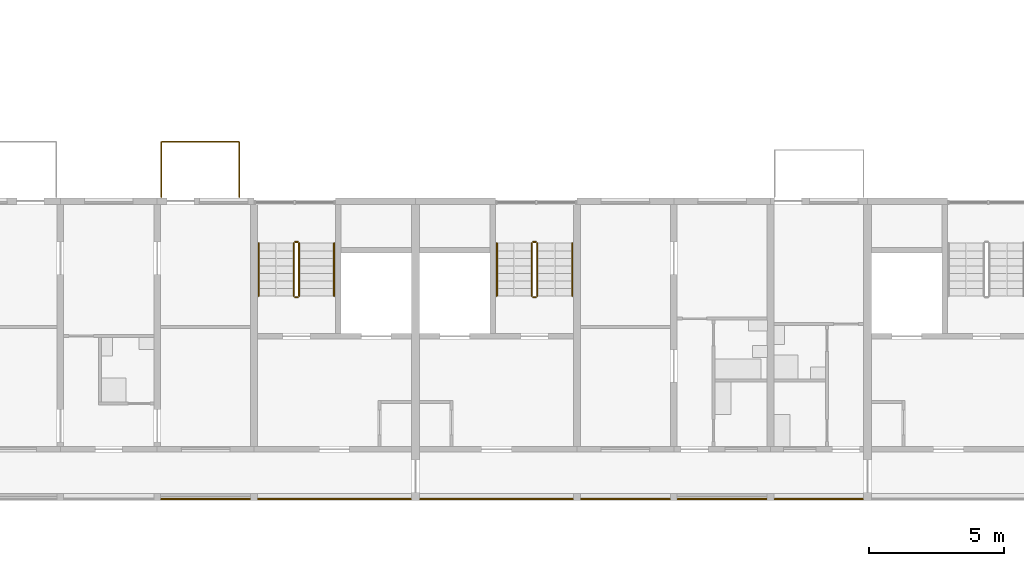
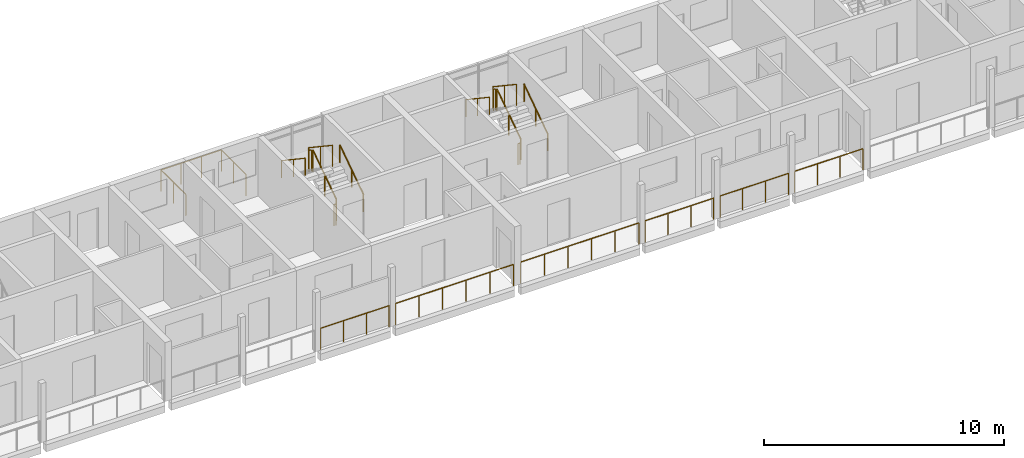
# One storey, part 91 of 100: 19 railings.
"""IFC4 building model written with IfcOpenShell, lengths in metres."""

from ifc_helpers import new_model, si_unit, direction, frame, origin, origin_2d, place, context, subcontext, project, spatial, circle, extrude, material, type_object, element, save


model = new_model("IFC4")

# Units and contexts
model_context = context("Model", 3, precision=1e-05, world=origin(), true_north=direction((0.0, 1.0)))
body_context = subcontext(model_context, "Body", "Model", "MODEL_VIEW")
ifc_project = project(units=[si_unit("LENGTHUNIT", "METRE"), si_unit("AREAUNIT", "SQUARE_METRE"), si_unit("VOLUMEUNIT", "CUBIC_METRE"), si_unit("PLANEANGLEUNIT", "RADIAN"), si_unit("MASSUNIT", "GRAM", prefix="KILO")], contexts=[model_context])

# Site, building, storey
site_placement = place(None, origin())
site = spatial("IfcSite", under=ifc_project, at=site_placement, CompositionType="ELEMENT")
building_placement = place(site_placement, origin())
building = spatial("IfcBuilding", under=site, at=building_placement, Name="Ridgestep Commons", CompositionType="ELEMENT")
storey_placement = place(building_placement, frame((0.0, 0.0, 9.0)))
storey = spatial("IfcBuildingStorey", under=building, at=storey_placement, Name="L03", CompositionType="ELEMENT", Elevation=9.0)

# Railings
ifc_material_1 = material(Name="Structural steel S355JR", Category="steel")
railing_type_1 = type_object("IfcRailingType", Name="Guard 1100", PredefinedType="GUARDRAIL", material=ifc_material_1)
railing_1_placement = place(storey_placement, frame((204.5458984375, 11.800048828125, 0.0)))
element("IfcRailing", 1, at=railing_1_placement, inside=storey, type_object=railing_type_1, Name="Gallery guard D 03.15", PredefinedType="GUARDRAIL", context=body_context, shape_type="SweptSolid", body=[
    extrude(circle(Radius=0.02392578125, at=origin_2d()), frame((0.0, 0.0, 1.076171875), z_axis=(1.0, 0.0, 0.0), x_axis=(0.0, 1.0, 0.0)), (0.0, 0.0, 1.0), 3.30810546875),
    extrude(circle(Radius=0.02099609375, at=origin_2d()), origin(), (0.0, 0.0, 1.0), 1.052001953125),
    extrude(circle(Radius=0.02099609375, at=origin_2d()), frame((1.102783203125, 0.0, 0.0)), (0.0, 0.0, 1.0), 1.052001953125),
    extrude(circle(Radius=0.02099609375, at=origin_2d()), frame((2.205322265625, 0.0, 0.0)), (0.0, 0.0, 1.0), 1.052001953125),
    extrude(circle(Radius=0.02099609375, at=origin_2d()), frame((3.30810546875, 0.0, 0.0)), (0.0, 0.0, 1.0), 1.052001953125),
])
for number, where, name in (
    (2, (208.14599609375, 11.800048828125, 0.0), "Gallery guard D 03.16"),
    (3, (214.1708984375, 11.800048828125, 0.0), "Gallery guard D 03.17"),
):
    element("IfcRailing", number, at=place(storey_placement, frame(where)), inside=storey, type_object=railing_type_1, Name=name, PredefinedType="GUARDRAIL", context=body_context, shape_type="SweptSolid", body=[
        extrude(circle(Radius=0.02392578125, at=origin_2d()), frame((0.0, 0.0, 1.076171875), z_axis=(1.0, 0.0, 0.0), x_axis=(0.0, 1.0, 0.0)), (0.0, 0.0, 1.0), 5.68310546875),
        extrude(circle(Radius=0.02099609375, at=origin_2d()), origin(), (0.0, 0.0, 1.0), 1.052001953125),
        extrude(circle(Radius=0.02099609375, at=origin_2d()), frame((1.13671875, 0.0, 0.0)), (0.0, 0.0, 1.0), 1.052001953125),
        extrude(circle(Radius=0.02099609375, at=origin_2d()), frame((2.273193359375, 0.0, 0.0)), (0.0, 0.0, 1.0), 1.052001953125),
        extrude(circle(Radius=0.02099609375, at=origin_2d()), frame((3.409912109375, 0.0, 0.0)), (0.0, 0.0, 1.0), 1.052001953125),
        extrude(circle(Radius=0.02099609375, at=origin_2d()), frame((4.54638671875, 0.0, 0.0)), (0.0, 0.0, 1.0), 1.052001953125),
        extrude(circle(Radius=0.02099609375, at=origin_2d()), frame((5.68310546875, 0.0, 0.0)), (0.0, 0.0, 1.0), 1.052001953125),
    ])
railing_2_placement = place(storey_placement, frame((220.14599609375, 11.800048828125, 0.0)))
element("IfcRailing", 4, at=railing_2_placement, inside=storey, type_object=railing_type_1, Name="Gallery guard D 03.18", PredefinedType="GUARDRAIL", context=body_context, shape_type="SweptSolid", body=[
    extrude(circle(Radius=0.02392578125, at=origin_2d()), frame((0.0, 0.0, 1.076171875), z_axis=(1.0, 0.0, 0.0), x_axis=(0.0, 1.0, 0.0)), (0.0, 0.0, 1.0), 3.30810546875),
    extrude(circle(Radius=0.02099609375, at=origin_2d()), origin(), (0.0, 0.0, 1.0), 1.052001953125),
    extrude(circle(Radius=0.02099609375, at=origin_2d()), frame((1.102783203125, 0.0, 0.0)), (0.0, 0.0, 1.0), 1.052001953125),
    extrude(circle(Radius=0.02099609375, at=origin_2d()), frame((2.205322265625, 0.0, 0.0)), (0.0, 0.0, 1.0), 1.052001953125),
    extrude(circle(Radius=0.02099609375, at=origin_2d()), frame((3.30810546875, 0.0, 0.0)), (0.0, 0.0, 1.0), 1.052001953125),
])
railing_3_placement = place(storey_placement, frame((223.74609375, 11.800048828125, 0.0)))
element("IfcRailing", 5, at=railing_3_placement, inside=storey, type_object=railing_type_1, Name="Gallery guard D 03.19", PredefinedType="GUARDRAIL", context=body_context, shape_type="SweptSolid", body=[
    extrude(circle(Radius=0.02392578125, at=origin_2d()), frame((0.0, 0.0, 1.076171875), z_axis=(1.0, 0.0, 0.0), x_axis=(0.0, 1.0, 0.0)), (0.0, 0.0, 1.0), 3.307861328125),
    extrude(circle(Radius=0.02099609375, at=origin_2d()), origin(), (0.0, 0.0, 1.0), 1.052001953125),
    extrude(circle(Radius=0.02099609375, at=origin_2d()), frame((1.1025390625, 0.0, 0.0)), (0.0, 0.0, 1.0), 1.052001953125),
    extrude(circle(Radius=0.02099609375, at=origin_2d()), frame((2.205322265625, 0.0, 0.0)), (0.0, 0.0, 1.0), 1.052001953125),
    extrude(circle(Radius=0.02099609375, at=origin_2d()), frame((3.307861328125, 0.0, 0.0)), (0.0, 0.0, 1.0), 1.052001953125),
])
railing_4_placement = place(storey_placement, frame((227.345947265625, 11.800048828125, 0.0)))
element("IfcRailing", 6, at=railing_4_placement, inside=storey, type_object=railing_type_1, Name="Gallery guard D 03.20", PredefinedType="GUARDRAIL", context=body_context, shape_type="SweptSolid", body=[
    extrude(circle(Radius=0.02392578125, at=origin_2d()), frame((0.0, 0.0, 1.076171875), z_axis=(1.0, 0.0, 0.0), x_axis=(0.0, 1.0, 0.0)), (0.0, 0.0, 1.0), 3.282958984375),
    extrude(circle(Radius=0.02099609375, at=origin_2d()), origin(), (0.0, 0.0, 1.0), 1.052001953125),
    extrude(circle(Radius=0.02099609375, at=origin_2d()), frame((1.09423828125, 0.0, 0.0)), (0.0, 0.0, 1.0), 1.052001953125),
    extrude(circle(Radius=0.02099609375, at=origin_2d()), frame((2.188720703125, 0.0, 0.0)), (0.0, 0.0, 1.0), 1.052001953125),
    extrude(circle(Radius=0.02099609375, at=origin_2d()), frame((3.282958984375, 0.0, 0.0)), (0.0, 0.0, 1.0), 1.052001953125),
])
ifc_material_2 = material(Name="Structural steel S355JR", Category="steel")
railing_type_2 = type_object("IfcRailingType", Name="Stair guard 1100", PredefinedType="GUARDRAIL", material=ifc_material_2)
railing_5_placement = place(storey_placement, frame((209.675048828125, 19.35009765625, 0.1875)))
element("IfcRailing", 7, at=railing_5_placement, inside=storey, type_object=railing_type_2, Name="L03 D4C stair guard 1", PredefinedType="GUARDRAIL", context=body_context, shape_type="SweptSolid", body=[
    extrude(circle(Radius=0.02392578125, at=origin_2d()), frame((0.0, 0.0, 1.076171875), z_axis=(0.0, 0.830902050051, 0.556418712142), x_axis=(-1.0, 0.0, 0.0)), (0.0, 0.0, 1.0), 2.35888671875),
    extrude(circle(Radius=0.02099609375, at=origin_2d()), origin(), (0.0, 0.0, 1.0), 1.052001953125),
    extrude(circle(Radius=0.02099609375, at=origin_2d()), frame((0.0, 0.97998046875, 0.65625)), (0.0, 0.0, 1.0), 1.052001953125),
    extrude(circle(Radius=0.02099609375, at=origin_2d()), frame((0.0, 1.9599609375, 1.3125)), (0.0, 0.0, 1.0), 1.052001953125),
])
railing_6_placement = place(storey_placement, frame((209.625, 21.360107421875, 1.5)))
element("IfcRailing", 8, at=railing_6_placement, inside=storey, type_object=railing_type_2, Name="L03 D4C stair guard 2", PredefinedType="GUARDRAIL", context=body_context, shape_type="SweptSolid", body=[
    extrude(circle(Radius=0.02392578125, at=origin_2d()), frame((0.0, 0.0, 1.076171875), z_axis=(-1.0, 0.0, 0.0), x_axis=(0.0, -1.0, 0.0)), (0.0, 0.0, 1.0), 0.10009765625),
    extrude(circle(Radius=0.02099609375, at=origin_2d()), origin(), (0.0, 0.0, 1.0), 1.052001953125),
    extrude(circle(Radius=0.02099609375, at=origin_2d()), frame((-0.10009765625, 0.0, 0.0)), (0.0, 0.0, 1.0), 1.052001953125),
])
railing_7_placement = place(storey_placement, frame((209.47509765625, 21.31005859375, 1.6875)))
element("IfcRailing", 9, at=railing_7_placement, inside=storey, type_object=railing_type_2, Name="L03 D4C stair guard 3", PredefinedType="GUARDRAIL", context=body_context, shape_type="SweptSolid", body=[
    extrude(circle(Radius=0.02392578125, at=origin_2d()), frame((0.0, 0.0, 1.076171875), z_axis=(0.0, -0.830902050051, 0.556418712142), x_axis=(1.0, 0.0, 0.0)), (0.0, 0.0, 1.0), 2.35888671875),
    extrude(circle(Radius=0.02099609375, at=origin_2d()), origin(), (0.0, 0.0, 1.0), 1.052001953125),
    extrude(circle(Radius=0.02099609375, at=origin_2d()), frame((0.0, -0.97998046875, 0.65625)), (0.0, 0.0, 1.0), 1.052001953125),
    extrude(circle(Radius=0.02099609375, at=origin_2d()), frame((0.0, -1.9599609375, 1.3125)), (0.0, 0.0, 1.0), 1.052001953125),
])
railing_8_placement = place(storey_placement, frame((209.625, 19.300048828125, 0.0)))
element("IfcRailing", 10, at=railing_8_placement, inside=storey, type_object=railing_type_2, Name="L03 D4C stair guard 4", PredefinedType="GUARDRAIL", context=body_context, shape_type="SweptSolid", body=[
    extrude(circle(Radius=0.02392578125, at=origin_2d()), frame((0.0, 0.0, 1.076171875), z_axis=(-1.0, 0.0, 0.0), x_axis=(0.0, -1.0, 0.0)), (0.0, 0.0, 1.0), 0.10009765625),
    extrude(circle(Radius=0.02099609375, at=origin_2d()), origin(), (0.0, 0.0, 1.0), 1.052001953125),
    extrude(circle(Radius=0.02099609375, at=origin_2d()), frame((-0.10009765625, 0.0, 0.0)), (0.0, 0.0, 1.0), 1.052001953125),
])
railing_9_placement = place(storey_placement, frame((218.52490234375, 19.35009765625, 0.1875)))
element("IfcRailing", 11, at=railing_9_placement, inside=storey, type_object=railing_type_2, Name="L03 D5C stair guard 1", PredefinedType="GUARDRAIL", context=body_context, shape_type="SweptSolid", body=[
    extrude(circle(Radius=0.02392578125, at=origin_2d()), frame((0.0, 0.0, 1.076171875), z_axis=(0.0, 0.830902050051, 0.556418712142), x_axis=(-1.0, 0.0, 0.0)), (0.0, 0.0, 1.0), 2.35888671875),
    extrude(circle(Radius=0.02099609375, at=origin_2d()), origin(), (0.0, 0.0, 1.0), 1.052001953125),
    extrude(circle(Radius=0.02099609375, at=origin_2d()), frame((0.0, 0.97998046875, 0.65625)), (0.0, 0.0, 1.0), 1.052001953125),
    extrude(circle(Radius=0.02099609375, at=origin_2d()), frame((0.0, 1.9599609375, 1.3125)), (0.0, 0.0, 1.0), 1.052001953125),
])
railing_10_placement = place(storey_placement, frame((218.47509765625, 21.360107421875, 1.5)))
element("IfcRailing", 12, at=railing_10_placement, inside=storey, type_object=railing_type_2, Name="L03 D5C stair guard 2", PredefinedType="GUARDRAIL", context=body_context, shape_type="SweptSolid", body=[
    extrude(circle(Radius=0.02392578125, at=origin_2d()), frame((0.0, 0.0, 1.076171875), z_axis=(-1.0, 0.0, 0.0), x_axis=(0.0, -1.0, 0.0)), (0.0, 0.0, 1.0), 0.10009765625),
    extrude(circle(Radius=0.02099609375, at=origin_2d()), origin(), (0.0, 0.0, 1.0), 1.052001953125),
    extrude(circle(Radius=0.02099609375, at=origin_2d()), frame((-0.10009765625, 0.0, 0.0)), (0.0, 0.0, 1.0), 1.052001953125),
])
railing_11_placement = place(storey_placement, frame((218.324951171875, 21.31005859375, 1.6875)))
element("IfcRailing", 13, at=railing_11_placement, inside=storey, type_object=railing_type_2, Name="L03 D5C stair guard 3", PredefinedType="GUARDRAIL", context=body_context, shape_type="SweptSolid", body=[
    extrude(circle(Radius=0.02392578125, at=origin_2d()), frame((0.0, 0.0, 1.076171875), z_axis=(0.0, -0.830902050051, 0.556418712142), x_axis=(1.0, 0.0, 0.0)), (0.0, 0.0, 1.0), 2.35888671875),
    extrude(circle(Radius=0.02099609375, at=origin_2d()), origin(), (0.0, 0.0, 1.0), 1.052001953125),
    extrude(circle(Radius=0.02099609375, at=origin_2d()), frame((0.0, -0.97998046875, 0.65625)), (0.0, 0.0, 1.0), 1.052001953125),
    extrude(circle(Radius=0.02099609375, at=origin_2d()), frame((0.0, -1.9599609375, 1.3125)), (0.0, 0.0, 1.0), 1.052001953125),
])
railing_12_placement = place(storey_placement, frame((218.47509765625, 19.300048828125, 0.0)))
element("IfcRailing", 14, at=railing_12_placement, inside=storey, type_object=railing_type_2, Name="L03 D5C stair guard 4", PredefinedType="GUARDRAIL", context=body_context, shape_type="SweptSolid", body=[
    extrude(circle(Radius=0.02392578125, at=origin_2d()), frame((0.0, 0.0, 1.076171875), z_axis=(-1.0, 0.0, 0.0), x_axis=(0.0, -1.0, 0.0)), (0.0, 0.0, 1.0), 0.10009765625),
    extrude(circle(Radius=0.02099609375, at=origin_2d()), origin(), (0.0, 0.0, 1.0), 1.052001953125),
    extrude(circle(Radius=0.02099609375, at=origin_2d()), frame((-0.10009765625, 0.0, 0.0)), (0.0, 0.0, 1.0), 1.052001953125),
])
ifc_material_3 = material(Name="Structural steel S355JR", Category="steel")
railing_type_3 = type_object("IfcRailingType", Name="Stair handrail 900", PredefinedType="HANDRAIL", material=ifc_material_3)
railing_13_placement = place(storey_placement, frame((210.97509765625, 19.35009765625, 0.1875)))
element("IfcRailing", 15, at=railing_13_placement, inside=storey, type_object=railing_type_3, Name="L03 D4C stair handrail 1", PredefinedType="HANDRAIL", context=body_context, shape_type="SweptSolid", body=[
    extrude(circle(Radius=0.02392578125, at=origin_2d()), frame((0.0, 0.0, 0.8759765625), z_axis=(0.0, 0.830902050051, 0.556418712142), x_axis=(-1.0, 0.0, 0.0)), (0.0, 0.0, 1.0), 2.35888671875),
    extrude(circle(Radius=0.02099609375, at=origin_2d()), origin(), (0.0, 0.0, 1.0), 0.851806640625),
    extrude(circle(Radius=0.02099609375, at=origin_2d()), frame((0.0, 0.97998046875, 0.65625)), (0.0, 0.0, 1.0), 0.851806640625),
    extrude(circle(Radius=0.02099609375, at=origin_2d()), frame((0.0, 1.9599609375, 1.3125)), (0.0, 0.0, 1.0), 0.851806640625),
])
railing_14_placement = place(storey_placement, frame((208.175048828125, 21.31005859375, 1.6875)))
element("IfcRailing", 16, at=railing_14_placement, inside=storey, type_object=railing_type_3, Name="L03 D4C stair handrail 2", PredefinedType="HANDRAIL", context=body_context, shape_type="SweptSolid", body=[
    extrude(circle(Radius=0.02392578125, at=origin_2d()), frame((0.0, 0.0, 0.8759765625), z_axis=(0.0, -0.830902050051, 0.556418712142), x_axis=(1.0, 0.0, 0.0)), (0.0, 0.0, 1.0), 2.35888671875),
    extrude(circle(Radius=0.02099609375, at=origin_2d()), origin(), (0.0, 0.0, 1.0), 0.851806640625),
    extrude(circle(Radius=0.02099609375, at=origin_2d()), frame((0.0, -0.97998046875, 0.65625)), (0.0, 0.0, 1.0), 0.851806640625),
    extrude(circle(Radius=0.02099609375, at=origin_2d()), frame((0.0, -1.9599609375, 1.3125)), (0.0, 0.0, 1.0), 0.851806640625),
])
railing_15_placement = place(storey_placement, frame((219.824951171875, 19.35009765625, 0.1875)))
element("IfcRailing", 17, at=railing_15_placement, inside=storey, type_object=railing_type_3, Name="L03 D5C stair handrail 1", PredefinedType="HANDRAIL", context=body_context, shape_type="SweptSolid", body=[
    extrude(circle(Radius=0.02392578125, at=origin_2d()), frame((0.0, 0.0, 0.8759765625), z_axis=(0.0, 0.830902050051, 0.556418712142), x_axis=(-1.0, 0.0, 0.0)), (0.0, 0.0, 1.0), 2.35888671875),
    extrude(circle(Radius=0.02099609375, at=origin_2d()), origin(), (0.0, 0.0, 1.0), 0.851806640625),
    extrude(circle(Radius=0.02099609375, at=origin_2d()), frame((0.0, 0.97998046875, 0.65625)), (0.0, 0.0, 1.0), 0.851806640625),
    extrude(circle(Radius=0.02099609375, at=origin_2d()), frame((0.0, 1.9599609375, 1.3125)), (0.0, 0.0, 1.0), 0.851806640625),
])
railing_16_placement = place(storey_placement, frame((217.02490234375, 21.31005859375, 1.6875)))
element("IfcRailing", 18, at=railing_16_placement, inside=storey, type_object=railing_type_3, Name="L03 D5C stair handrail 2", PredefinedType="HANDRAIL", context=body_context, shape_type="SweptSolid", body=[
    extrude(circle(Radius=0.02392578125, at=origin_2d()), frame((0.0, 0.0, 0.8759765625), z_axis=(0.0, -0.830902050051, 0.556418712142), x_axis=(1.0, 0.0, 0.0)), (0.0, 0.0, 1.0), 2.35888671875),
    extrude(circle(Radius=0.02099609375, at=origin_2d()), origin(), (0.0, 0.0, 1.0), 0.851806640625),
    extrude(circle(Radius=0.02099609375, at=origin_2d()), frame((0.0, -0.97998046875, 0.65625)), (0.0, 0.0, 1.0), 0.851806640625),
    extrude(circle(Radius=0.02099609375, at=origin_2d()), frame((0.0, -1.9599609375, 1.3125)), (0.0, 0.0, 1.0), 0.851806640625),
])
ifc_material_4 = material(Name="Weathering steel S355J2W", Category="steel")
railing_type_4 = type_object("IfcRailingType", Name="Tray guard 1100", PredefinedType="GUARDRAIL", material=ifc_material_4)
railing_17_placement = place(storey_placement, frame((204.551025390625, 23.02099609375, 0.0)))
element("IfcRailing", 19, at=railing_17_placement, inside=storey, type_object=railing_type_4, Name="Tray guard D4T3-03", PredefinedType="GUARDRAIL", context=body_context, shape_type="SweptSolid", body=[
    extrude(circle(Radius=0.02392578125, at=origin_2d()), frame((0.0, 0.0, 1.076171875), z_axis=(0.0, 1.0, 0.0), x_axis=(-1.0, 0.0, 0.0)), (0.0, 0.0, 1.0), 2.05810546875),
    extrude(circle(Radius=0.02392578125, at=origin_2d()), frame((0.0, 2.05810546875, 1.076171875), z_axis=(1.0, 0.0, 0.0), x_axis=(0.0, 1.0, 0.0)), (0.0, 0.0, 1.0), 2.89794921875),
    extrude(circle(Radius=0.02392578125, at=origin_2d()), frame((2.89794921875, 2.05810546875, 1.076171875), z_axis=(0.0, -1.0, 0.0), x_axis=(1.0, 0.0, 0.0)), (0.0, 0.0, 1.0), 2.05810546875),
    extrude(circle(Radius=0.02099609375, at=origin_2d()), origin(), (0.0, 0.0, 1.0), 1.052001953125),
    extrude(circle(Radius=0.02099609375, at=origin_2d()), frame((0.0, 1.029052734375, 0.0)), (0.0, 0.0, 1.0), 1.052001953125),
    extrude(circle(Radius=0.02099609375, at=origin_2d()), frame((0.0, 2.05810546875, 0.0)), (0.0, 0.0, 1.0), 1.052001953125),
    extrude(circle(Radius=0.02099609375, at=origin_2d()), frame((0.966064453125, 2.05810546875, 0.0)), (0.0, 0.0, 1.0), 1.052001953125),
    extrude(circle(Radius=0.02099609375, at=origin_2d()), frame((1.931884765625, 2.05810546875, 0.0)), (0.0, 0.0, 1.0), 1.052001953125),
    extrude(circle(Radius=0.02099609375, at=origin_2d()), frame((2.89794921875, 2.05810546875, 0.0)), (0.0, 0.0, 1.0), 1.052001953125),
    extrude(circle(Radius=0.02099609375, at=origin_2d()), frame((2.89794921875, 1.029052734375, 0.0)), (0.0, 0.0, 1.0), 1.052001953125),
    extrude(circle(Radius=0.02099609375, at=origin_2d()), frame((2.89794921875, 0.0, 0.0)), (0.0, 0.0, 1.0), 1.052001953125),
])

save(model, "model.ifc")
